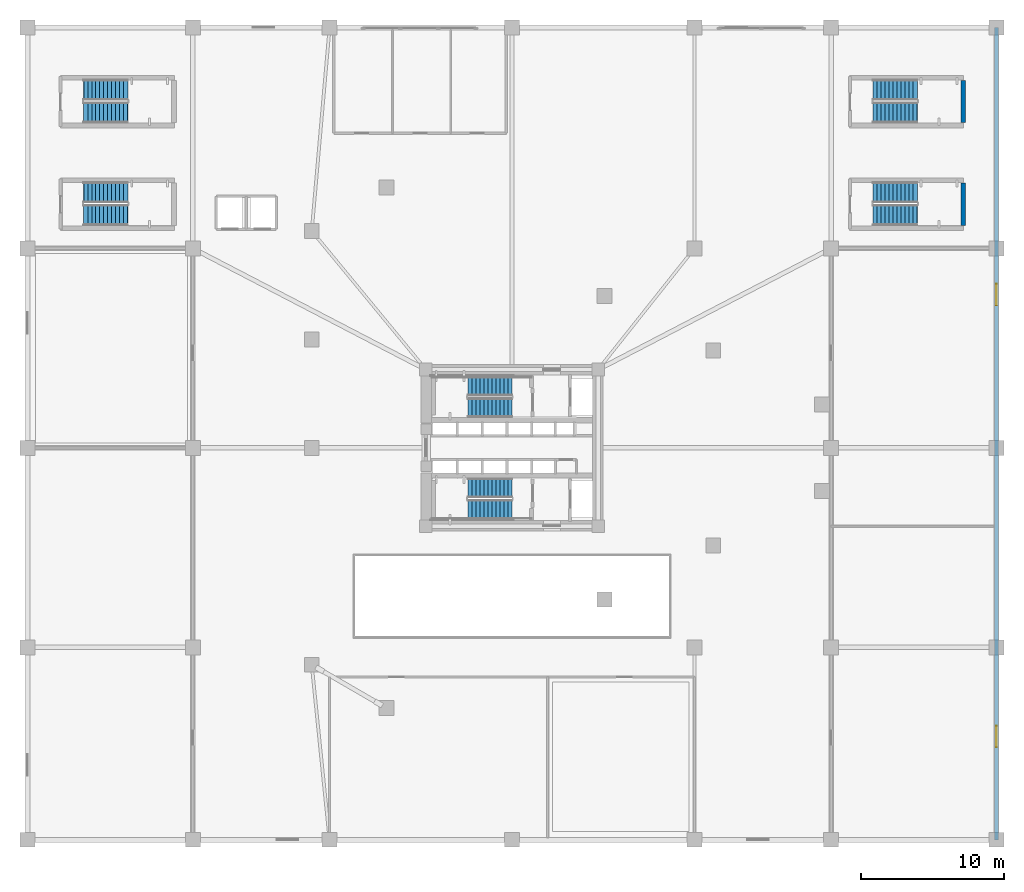
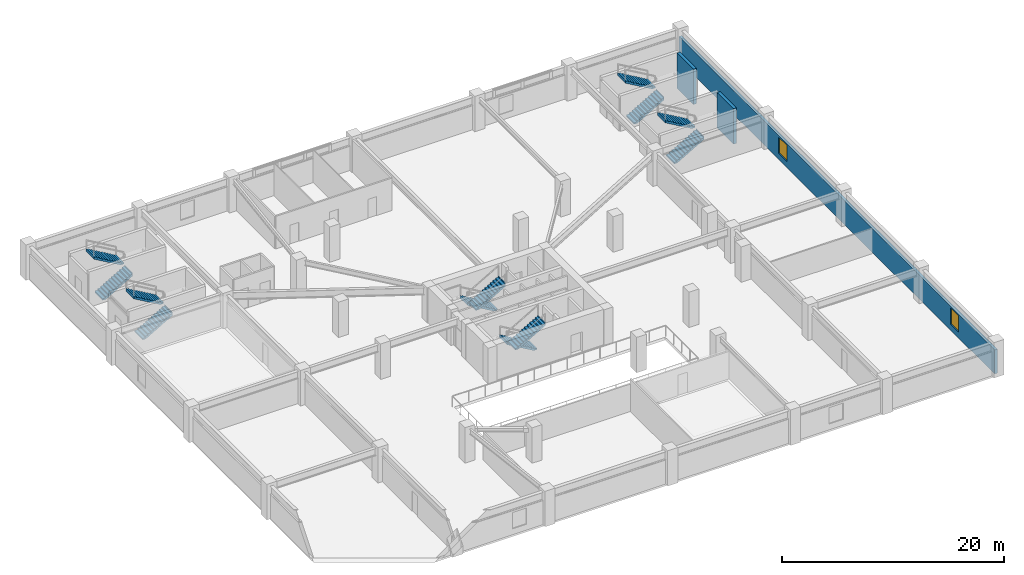
# One storey, part 7 of 15: 12 stair flights, 3 walls, 2 windows, 2 openings, 6 elements without a shape of their own.
"""IFC4 building model written with IfcOpenShell, lengths in metres."""

from ifc_helpers import new_model, si_unit, direction, frame, frame_2d, origin, place, context, subcontext, project, spatial, polyline, rectangle, outline, extrude, material, layer, layer_set, type_object, element, fill, aggregate, save


model = new_model("IFC4")

# Units and contexts
model_context = context("Model", 3, precision=1e-05, world=origin(), true_north=direction((0.0, 1.0)))
body_context = subcontext(model_context, "Body", "Model", "MODEL_VIEW")
ifc_project = project(units=[si_unit("LENGTHUNIT", "METRE"), si_unit("AREAUNIT", "SQUARE_METRE"), si_unit("VOLUMEUNIT", "CUBIC_METRE"), si_unit("PLANEANGLEUNIT", "RADIAN"), si_unit("MASSUNIT", "GRAM", prefix="KILO")], contexts=[model_context])

# Site, building, storey
site_placement = place(None, origin())
site = spatial("IfcSite", under=ifc_project, at=site_placement, CompositionType="ELEMENT")
building_placement = place(site_placement, origin())
building = spatial("IfcBuilding", under=site, at=building_placement, Name="Yunling Apex Tower", CompositionType="ELEMENT")
storey_placement = place(building_placement, frame((0.0, 0.0, 8.39990234375)))
storey = spatial("IfcBuildingStorey", under=building, at=storey_placement, Name="L03", CompositionType="ELEMENT", Elevation=8.39990234375)

# Walls
ifc_material_1 = material(Name="Concrete C40", Category="concrete")
ifc_layer_1 = layer(ifc_material_1, 0.320068359375)
ifc_layer_set_1 = layer_set([ifc_layer_1], Name="Concrete C40")
wall_type_1 = type_object("IfcWallType", Name="WL-COR-7", PredefinedType="SHEAR", material=ifc_layer_set_1)
for number, where, z_axis, x_axis, name in (
    (1, (31.679931640625, 15.6201171875, 0.0), (0.0, 0.0, 1.0), (0.0, 1.0, 0.0), "L03 STP2 Half-Landing Bearing Wall"),
    (2, (31.679931640625, 22.820068359375, 0.0), (0.0, 0.0, 1.0), (0.0, 1.0, 0.0), "L03 STG2 Half-Landing Bearing Wall"),
):
    element("IfcWall", number, at=place(storey_placement, frame(where, z_axis=z_axis, x_axis=x_axis)), inside=storey, type_object=wall_type_1, Name=name, PredefinedType="SHEAR", context=body_context, shape_type="SweptSolid", body=[
        extrude(rectangle(XDim=2.9599609375, YDim=0.320068359375, at=frame_2d((1.47998046875, 0.0))), origin(), (0.0, 0.0, 1.0), 3.900146484375),
    ])

# Wall, openings, windows
ifc_material_2 = material(Name="Precast concrete C40", Category="concrete")
ifc_layer_2 = layer(ifc_material_2, 0.280029296875)
ifc_layer_set_2 = layer_set([ifc_layer_2], Name="Precast concrete C40")
wall_type_2 = type_object("IfcWallType", Name="WL-EXT-2", PredefinedType="SOLIDWALL", material=ifc_layer_set_2)
wall_placement = place(storey_placement, frame((34.0, 29.5, 0.0), z_axis=(0.0, 0.0, 1.0), x_axis=(0.0, -1.0, 0.0)))
wall = element("IfcWall", 3, at=wall_placement, inside=storey, type_object=wall_type_2, Name="WL-POD-L03-E", PredefinedType="SOLIDWALL", context=body_context, shape_type="SweptSolid", body=[
    extrude(rectangle(XDim=57.0, YDim=0.280029296875, at=frame_2d((28.5, 0.0))), origin(), (0.0, 0.0, 1.0), 2.650146484375),
])
opening_1_placement = place(wall_placement, frame((18.0, 0.0, 0.64990234375)))
opening_1 = element("IfcOpeningElement", 4, at=opening_1_placement, cuts=wall, Name="Opening WN-POD-3", PredefinedType="OPENING", context=body_context, shape_type="SweptSolid", body=[
    extrude(rectangle(XDim=1.5, YDim=1.800048828125, at=frame_2d((0.75, 0.89990234375))), frame((0.0, 0.14990234375, 0.0), z_axis=(0.0, -1.0, 0.0), x_axis=(1.0, 0.0, 0.0)), (0.0, 0.0, 1.0), 0.300048828125),
])
opening_2_placement = place(wall_placement, frame((49.0, 0.0, 0.64990234375)))
opening_2 = element("IfcOpeningElement", 5, at=opening_2_placement, cuts=wall, Name="Opening WN-POD-3", PredefinedType="OPENING", context=body_context, shape_type="SweptSolid", body=[
    extrude(rectangle(XDim=1.5, YDim=1.800048828125, at=frame_2d((0.75, 0.89990234375))), frame((0.0, 0.14990234375, 0.0), z_axis=(0.0, -1.0, 0.0), x_axis=(1.0, 0.0, 0.0)), (0.0, 0.0, 1.0), 0.300048828125),
])
ifc_material_3 = material(Name="Bronze tinted low-E glass", Category="glass")
window_type = type_object("IfcWindowType", Name="WN-POD-3", PartitioningType="SINGLE_PANEL", PredefinedType="WINDOW", material=ifc_material_3)
window_1_placement = place(opening_1_placement, origin())
window_1 = element("IfcWindow", 6, at=window_1_placement, inside=storey, type_object=window_type, Name="WN-L03-E-1", OverallHeight=1.800048828125, OverallWidth=1.5, PartitioningType="SINGLE_PANEL", PredefinedType="WINDOW", context=body_context, shape_type="SweptSolid", body=[
    extrude(rectangle(XDim=1.5, YDim=1.800048828125, at=frame_2d((0.75, 0.89990234375))), frame((0.0, 0.030029296875, 0.0), z_axis=(0.0, -1.0, 0.0), x_axis=(1.0, 0.0, 0.0)), (0.0, 0.0, 1.0), 0.06005859375),
])
fill(opening_1, window_1)
window_2_placement = place(opening_2_placement, origin())
window_2 = element("IfcWindow", 7, at=window_2_placement, inside=storey, type_object=window_type, Name="WN-L03-E-2", OverallHeight=1.800048828125, OverallWidth=1.5, PartitioningType="SINGLE_PANEL", PredefinedType="WINDOW", context=body_context, shape_type="SweptSolid", body=[
    extrude(rectangle(XDim=1.5, YDim=1.800048828125, at=frame_2d((0.75, 0.89990234375))), frame((0.0, 0.030029296875, 0.0), z_axis=(0.0, -1.0, 0.0), x_axis=(1.0, 0.0, 0.0)), (0.0, 0.0, 1.0), 0.06005859375),
])
fill(opening_2, window_2)

# Stair, stair flights
stair_type_1 = type_object("IfcStairType", Name="ST-GDN-1", PredefinedType="STRAIGHT_RUN_STAIR", material=ifc_material_1)
stair_1_placement = place(storey_placement, origin())
stair_1 = element("IfcStair", 8, at=stair_1_placement, inside=storey, type_object=stair_type_1, Name="L03 West Plaza-to-Garden External Stair ST-G1", PredefinedType="HALF_TURN_STAIR")
stair_flight_type_1 = type_object("IfcStairFlightType", Name="SFL-GDN-1", PredefinedType="STRAIGHT", material=ifc_material_1)
stair_flight_1_placement = place(storey_placement, frame((-30.050048828125, 23.52490234375, 0.0), z_axis=(0.0, 0.0, 1.0), x_axis=(1.0, 0.0, 0.0)))
stair_flight_1 = element("IfcStairFlight", 9, at=stair_flight_1_placement, type_object=stair_flight_type_1, Name="ST-G1 flight 1", NumberOfRisers=12, NumberOfTreads=11, PredefinedType="STRAIGHT", RiserHeight=0.1625, TreadLength=0.28, context=body_context, shape_type="SweptSolid", body=[
    extrude(outline(polyline([(-0.011962890625, 0.0), (-0.011962890625, 0.16259765625), (0.0, 0.16259765625), (0.280029296875, 0.16259765625), (0.280029296875, 0.324951171875), (0.56005859375, 0.324951171875), (0.56005859375, 0.487548828125), (0.840087890625, 0.487548828125), (0.840087890625, 0.64990234375), (1.1201171875, 0.64990234375), (1.1201171875, 0.8125), (1.39990234375, 0.8125), (1.39990234375, 0.97509765625), (1.679931640625, 0.97509765625), (1.679931640625, 1.137451171875), (1.9599609375, 1.137451171875), (1.9599609375, 1.300048828125), (2.239990234375, 1.300048828125), (2.239990234375, 1.46240234375), (2.52001953125, 1.46240234375), (2.52001953125, 1.625), (2.800048828125, 1.625), (2.800048828125, 1.78759765625), (3.080078125, 1.78759765625), (3.080078125, 1.949951171875), (3.092041015625, 1.949951171875), (3.092041015625, 1.6025390625), (0.318603515625, 0.0), (-0.011962890625, 0.0)])), frame((0.0, 0.72509765625, 0.0), z_axis=(0.0, -1.0, 0.0), x_axis=(1.0, 0.0, 0.0)), (0.0, 0.0, 1.0), 1.449951171875),
])
stair_flight_2_placement = place(storey_placement, frame((-26.969970703125, 25.125, 1.9501953125), z_axis=(0.0, 0.0, 1.0), x_axis=(-1.0, 0.0, 0.0)))
stair_flight_2 = element("IfcStairFlight", 10, at=stair_flight_2_placement, type_object=stair_flight_type_1, Name="ST-G1 flight 2", NumberOfRisers=12, NumberOfTreads=11, PredefinedType="STRAIGHT", RiserHeight=0.1625, TreadLength=0.28, context=body_context, shape_type="SweptSolid", body=[
    extrude(outline(polyline([(-0.011962890625, 0.0), (-0.011962890625, 0.16259765625), (0.0, 0.16259765625), (0.280029296875, 0.16259765625), (0.280029296875, 0.324951171875), (0.56005859375, 0.324951171875), (0.56005859375, 0.487548828125), (0.840087890625, 0.487548828125), (0.840087890625, 0.64990234375), (1.1201171875, 0.64990234375), (1.1201171875, 0.8125), (1.39990234375, 0.8125), (1.39990234375, 0.97509765625), (1.679931640625, 0.97509765625), (1.679931640625, 1.137451171875), (1.9599609375, 1.137451171875), (1.9599609375, 1.300048828125), (2.239990234375, 1.300048828125), (2.239990234375, 1.46240234375), (2.52001953125, 1.46240234375), (2.52001953125, 1.625), (2.800048828125, 1.625), (2.800048828125, 1.78759765625), (3.080078125, 1.78759765625), (3.080078125, 1.949951171875), (3.092041015625, 1.949951171875), (3.092041015625, 1.6025390625), (0.318603515625, 0.0), (-0.011962890625, 0.0)])), frame((0.0, 0.72509765625, 0.0), z_axis=(0.0, -1.0, 0.0), x_axis=(1.0, 0.0, 0.0)), (0.0, 0.0, 1.0), 1.449951171875),
])
aggregate(stair_1, [stair_flight_1, stair_flight_2])

stair_2_placement = place(storey_placement, origin())
stair_2 = element("IfcStair", 11, at=stair_2_placement, inside=storey, type_object=stair_type_1, Name="L03 East Plaza-to-Garden External Stair ST-G2", PredefinedType="HALF_TURN_STAIR")
stair_flight_3_placement = place(storey_placement, frame((25.35009765625, 23.52490234375, 0.0), z_axis=(0.0, 0.0, 1.0), x_axis=(1.0, 0.0, 0.0)))
stair_flight_3 = element("IfcStairFlight", 12, at=stair_flight_3_placement, type_object=stair_flight_type_1, Name="ST-G2 flight 1", NumberOfRisers=12, NumberOfTreads=11, PredefinedType="STRAIGHT", RiserHeight=0.1625, TreadLength=0.28, context=body_context, shape_type="SweptSolid", body=[
    extrude(outline(polyline([(-0.011962890625, 0.0), (-0.011962890625, 0.16259765625), (0.0, 0.16259765625), (0.280029296875, 0.16259765625), (0.280029296875, 0.324951171875), (0.56005859375, 0.324951171875), (0.56005859375, 0.487548828125), (0.840087890625, 0.487548828125), (0.840087890625, 0.64990234375), (1.1201171875, 0.64990234375), (1.1201171875, 0.8125), (1.39990234375, 0.8125), (1.39990234375, 0.97509765625), (1.679931640625, 0.97509765625), (1.679931640625, 1.137451171875), (1.9599609375, 1.137451171875), (1.9599609375, 1.300048828125), (2.239990234375, 1.300048828125), (2.239990234375, 1.46240234375), (2.52001953125, 1.46240234375), (2.52001953125, 1.625), (2.800048828125, 1.625), (2.800048828125, 1.78759765625), (3.080078125, 1.78759765625), (3.080078125, 1.949951171875), (3.092041015625, 1.949951171875), (3.092041015625, 1.6025390625), (0.318603515625, 0.0), (-0.011962890625, 0.0)])), frame((0.0, 0.72509765625, 0.0), z_axis=(0.0, -1.0, 0.0), x_axis=(1.0, 0.0, 0.0)), (0.0, 0.0, 1.0), 1.449951171875),
])
stair_flight_4_placement = place(storey_placement, frame((28.429931640625, 25.125, 1.9501953125), z_axis=(0.0, 0.0, 1.0), x_axis=(-1.0, 0.0, 0.0)))
stair_flight_4 = element("IfcStairFlight", 13, at=stair_flight_4_placement, type_object=stair_flight_type_1, Name="ST-G2 flight 2", NumberOfRisers=12, NumberOfTreads=11, PredefinedType="STRAIGHT", RiserHeight=0.1625, TreadLength=0.28, context=body_context, shape_type="SweptSolid", body=[
    extrude(outline(polyline([(-0.011962890625, 0.0), (-0.011962890625, 0.16259765625), (0.0, 0.16259765625), (0.280029296875, 0.16259765625), (0.280029296875, 0.324951171875), (0.56005859375, 0.324951171875), (0.56005859375, 0.487548828125), (0.840087890625, 0.487548828125), (0.840087890625, 0.64990234375), (1.1201171875, 0.64990234375), (1.1201171875, 0.8125), (1.39990234375, 0.8125), (1.39990234375, 0.97509765625), (1.679931640625, 0.97509765625), (1.679931640625, 1.137451171875), (1.9599609375, 1.137451171875), (1.9599609375, 1.300048828125), (2.239990234375, 1.300048828125), (2.239990234375, 1.46240234375), (2.52001953125, 1.46240234375), (2.52001953125, 1.625), (2.800048828125, 1.625), (2.800048828125, 1.78759765625), (3.080078125, 1.78759765625), (3.080078125, 1.949951171875), (3.092041015625, 1.949951171875), (3.092041015625, 1.6025390625), (0.318603515625, 0.0), (-0.011962890625, 0.0)])), frame((0.0, 0.72509765625, 0.0), z_axis=(0.0, -1.0, 0.0), x_axis=(1.0, 0.0, 0.0)), (0.0, 0.0, 1.0), 1.449951171875),
])
aggregate(stair_2, [stair_flight_3, stair_flight_4])

stair_type_2 = type_object("IfcStairType", Name="ST-POD-1", PredefinedType="HALF_TURN_STAIR", material=ifc_material_1)
stair_3_placement = place(storey_placement, origin())
stair_3 = element("IfcStair", 14, at=stair_3_placement, inside=storey, type_object=stair_type_2, Name="L03 West Podium Smokeproof Stair ST-P1", PredefinedType="HALF_TURN_STAIR")
stair_flight_type_2 = type_object("IfcStairFlightType", Name="SFL-POD-1", PredefinedType="STRAIGHT", material=ifc_material_1)
stair_flight_5_placement = place(storey_placement, frame((-30.050048828125, 16.324951171875, 0.0), z_axis=(0.0, 0.0, 1.0), x_axis=(1.0, 0.0, 0.0)))
stair_flight_5 = element("IfcStairFlight", 15, at=stair_flight_5_placement, type_object=stair_flight_type_2, Name="ST-P1 flight 1", NumberOfRisers=12, NumberOfTreads=11, PredefinedType="STRAIGHT", RiserHeight=0.1625, TreadLength=0.28, context=body_context, shape_type="SweptSolid", body=[
    extrude(outline(polyline([(-0.011962890625, 0.0), (-0.011962890625, 0.16259765625), (0.0, 0.16259765625), (0.280029296875, 0.16259765625), (0.280029296875, 0.324951171875), (0.56005859375, 0.324951171875), (0.56005859375, 0.487548828125), (0.840087890625, 0.487548828125), (0.840087890625, 0.64990234375), (1.1201171875, 0.64990234375), (1.1201171875, 0.8125), (1.39990234375, 0.8125), (1.39990234375, 0.97509765625), (1.679931640625, 0.97509765625), (1.679931640625, 1.137451171875), (1.9599609375, 1.137451171875), (1.9599609375, 1.300048828125), (2.239990234375, 1.300048828125), (2.239990234375, 1.46240234375), (2.52001953125, 1.46240234375), (2.52001953125, 1.625), (2.800048828125, 1.625), (2.800048828125, 1.78759765625), (3.080078125, 1.78759765625), (3.080078125, 1.949951171875), (3.092041015625, 1.949951171875), (3.092041015625, 1.6025390625), (0.318603515625, 0.0), (-0.011962890625, 0.0)])), frame((0.0, 0.72509765625, 0.0), z_axis=(0.0, -1.0, 0.0), x_axis=(1.0, 0.0, 0.0)), (0.0, 0.0, 1.0), 1.449951171875),
])
stair_flight_6_placement = place(storey_placement, frame((-26.969970703125, 17.925048828125, 1.9501953125), z_axis=(0.0, 0.0, 1.0), x_axis=(-1.0, 0.0, 0.0)))
stair_flight_6 = element("IfcStairFlight", 16, at=stair_flight_6_placement, type_object=stair_flight_type_2, Name="ST-P1 flight 2", NumberOfRisers=12, NumberOfTreads=11, PredefinedType="STRAIGHT", RiserHeight=0.1625, TreadLength=0.28, context=body_context, shape_type="SweptSolid", body=[
    extrude(outline(polyline([(-0.011962890625, 0.0), (-0.011962890625, 0.16259765625), (0.0, 0.16259765625), (0.280029296875, 0.16259765625), (0.280029296875, 0.324951171875), (0.56005859375, 0.324951171875), (0.56005859375, 0.487548828125), (0.840087890625, 0.487548828125), (0.840087890625, 0.64990234375), (1.1201171875, 0.64990234375), (1.1201171875, 0.8125), (1.39990234375, 0.8125), (1.39990234375, 0.97509765625), (1.679931640625, 0.97509765625), (1.679931640625, 1.137451171875), (1.9599609375, 1.137451171875), (1.9599609375, 1.300048828125), (2.239990234375, 1.300048828125), (2.239990234375, 1.46240234375), (2.52001953125, 1.46240234375), (2.52001953125, 1.625), (2.800048828125, 1.625), (2.800048828125, 1.78759765625), (3.080078125, 1.78759765625), (3.080078125, 1.949951171875), (3.092041015625, 1.949951171875), (3.092041015625, 1.6025390625), (0.318603515625, 0.0), (-0.011962890625, 0.0)])), frame((0.0, 0.72509765625, 0.0), z_axis=(0.0, -1.0, 0.0), x_axis=(1.0, 0.0, 0.0)), (0.0, 0.0, 1.0), 1.449951171875),
])
aggregate(stair_3, [stair_flight_5, stair_flight_6])

stair_4_placement = place(storey_placement, origin())
stair_4 = element("IfcStair", 17, at=stair_4_placement, inside=storey, type_object=stair_type_2, Name="L03 East Podium Smokeproof Stair ST-P2", PredefinedType="HALF_TURN_STAIR")
stair_flight_7_placement = place(storey_placement, frame((25.35009765625, 16.324951171875, 0.0), z_axis=(0.0, 0.0, 1.0), x_axis=(1.0, 0.0, 0.0)))
stair_flight_7 = element("IfcStairFlight", 18, at=stair_flight_7_placement, type_object=stair_flight_type_2, Name="ST-P2 flight 1", NumberOfRisers=12, NumberOfTreads=11, PredefinedType="STRAIGHT", RiserHeight=0.1625, TreadLength=0.28, context=body_context, shape_type="SweptSolid", body=[
    extrude(outline(polyline([(-0.011962890625, 0.0), (-0.011962890625, 0.16259765625), (0.0, 0.16259765625), (0.280029296875, 0.16259765625), (0.280029296875, 0.324951171875), (0.56005859375, 0.324951171875), (0.56005859375, 0.487548828125), (0.840087890625, 0.487548828125), (0.840087890625, 0.64990234375), (1.1201171875, 0.64990234375), (1.1201171875, 0.8125), (1.39990234375, 0.8125), (1.39990234375, 0.97509765625), (1.679931640625, 0.97509765625), (1.679931640625, 1.137451171875), (1.9599609375, 1.137451171875), (1.9599609375, 1.300048828125), (2.239990234375, 1.300048828125), (2.239990234375, 1.46240234375), (2.52001953125, 1.46240234375), (2.52001953125, 1.625), (2.800048828125, 1.625), (2.800048828125, 1.78759765625), (3.080078125, 1.78759765625), (3.080078125, 1.949951171875), (3.092041015625, 1.949951171875), (3.092041015625, 1.6025390625), (0.318603515625, 0.0), (-0.011962890625, 0.0)])), frame((0.0, 0.72509765625, 0.0), z_axis=(0.0, -1.0, 0.0), x_axis=(1.0, 0.0, 0.0)), (0.0, 0.0, 1.0), 1.449951171875),
])
stair_flight_8_placement = place(storey_placement, frame((28.429931640625, 17.925048828125, 1.9501953125), z_axis=(0.0, 0.0, 1.0), x_axis=(-1.0, 0.0, 0.0)))
stair_flight_8 = element("IfcStairFlight", 19, at=stair_flight_8_placement, type_object=stair_flight_type_2, Name="ST-P2 flight 2", NumberOfRisers=12, NumberOfTreads=11, PredefinedType="STRAIGHT", RiserHeight=0.1625, TreadLength=0.28, context=body_context, shape_type="SweptSolid", body=[
    extrude(outline(polyline([(-0.011962890625, 0.0), (-0.011962890625, 0.16259765625), (0.0, 0.16259765625), (0.280029296875, 0.16259765625), (0.280029296875, 0.324951171875), (0.56005859375, 0.324951171875), (0.56005859375, 0.487548828125), (0.840087890625, 0.487548828125), (0.840087890625, 0.64990234375), (1.1201171875, 0.64990234375), (1.1201171875, 0.8125), (1.39990234375, 0.8125), (1.39990234375, 0.97509765625), (1.679931640625, 0.97509765625), (1.679931640625, 1.137451171875), (1.9599609375, 1.137451171875), (1.9599609375, 1.300048828125), (2.239990234375, 1.300048828125), (2.239990234375, 1.46240234375), (2.52001953125, 1.46240234375), (2.52001953125, 1.625), (2.800048828125, 1.625), (2.800048828125, 1.78759765625), (3.080078125, 1.78759765625), (3.080078125, 1.949951171875), (3.092041015625, 1.949951171875), (3.092041015625, 1.6025390625), (0.318603515625, 0.0), (-0.011962890625, 0.0)])), frame((0.0, 0.72509765625, 0.0), z_axis=(0.0, -1.0, 0.0), x_axis=(1.0, 0.0, 0.0)), (0.0, 0.0, 1.0), 1.449951171875),
])
aggregate(stair_4, [stair_flight_7, stair_flight_8])

stair_type_3 = type_object("IfcStairType", Name="ST-TWR-1", PredefinedType="HALF_TURN_STAIR", material=ifc_material_1)
stair_5_placement = place(storey_placement, origin())
stair_5 = element("IfcStair", 20, at=stair_5_placement, inside=storey, type_object=stair_type_3, Name="L03 North Core Smokeproof Exit Stair ST-1", PredefinedType="HALF_TURN_STAIR")
stair_flight_type_3 = type_object("IfcStairFlightType", Name="SFL-TWR-1", PredefinedType="STRAIGHT", material=ifc_material_1)
stair_flight_9_placement = place(storey_placement, frame((-0.010009765625, 4.330078125, 0.0), z_axis=(0.0, 0.0, 1.0), x_axis=(-1.0, 0.0, 0.0)))
stair_flight_9 = element("IfcStairFlight", 21, at=stair_flight_9_placement, type_object=stair_flight_type_3, Name="ST-1 flight 1", NumberOfRisers=12, NumberOfTreads=11, PredefinedType="STRAIGHT", RiserHeight=0.1625, TreadLength=0.28, context=body_context, shape_type="SweptSolid", body=[
    extrude(outline(polyline([(-0.011962890625, 0.0), (-0.011962890625, 0.16259765625), (0.0, 0.16259765625), (0.280029296875, 0.16259765625), (0.280029296875, 0.324951171875), (0.56005859375, 0.324951171875), (0.56005859375, 0.487548828125), (0.840087890625, 0.487548828125), (0.840087890625, 0.64990234375), (1.1201171875, 0.64990234375), (1.1201171875, 0.8125), (1.39990234375, 0.8125), (1.39990234375, 0.97509765625), (1.679931640625, 0.97509765625), (1.679931640625, 1.137451171875), (1.9599609375, 1.137451171875), (1.9599609375, 1.300048828125), (2.239990234375, 1.300048828125), (2.239990234375, 1.46240234375), (2.52001953125, 1.46240234375), (2.52001953125, 1.625), (2.800048828125, 1.625), (2.800048828125, 1.78759765625), (3.080078125, 1.78759765625), (3.080078125, 1.949951171875), (3.092041015625, 1.949951171875), (3.092041015625, 1.6025390625), (0.318603515625, 0.0), (-0.011962890625, 0.0)])), frame((0.0, 0.68017578125, 0.0), z_axis=(0.0, -1.0, 0.0), x_axis=(1.0, 0.0, 0.0)), (0.0, 0.0, 1.0), 1.360107421875),
])
stair_flight_10_placement = place(storey_placement, frame((-3.090087890625, 2.820068359375, 1.9501953125), z_axis=(0.0, 0.0, 1.0), x_axis=(1.0, 0.0, 0.0)))
stair_flight_10 = element("IfcStairFlight", 22, at=stair_flight_10_placement, type_object=stair_flight_type_3, Name="ST-1 flight 2", NumberOfRisers=12, NumberOfTreads=11, PredefinedType="STRAIGHT", RiserHeight=0.1625, TreadLength=0.28, context=body_context, shape_type="SweptSolid", body=[
    extrude(outline(polyline([(-0.011962890625, 0.0), (-0.011962890625, 0.16259765625), (0.0, 0.16259765625), (0.280029296875, 0.16259765625), (0.280029296875, 0.324951171875), (0.56005859375, 0.324951171875), (0.56005859375, 0.487548828125), (0.840087890625, 0.487548828125), (0.840087890625, 0.64990234375), (1.1201171875, 0.64990234375), (1.1201171875, 0.8125), (1.39990234375, 0.8125), (1.39990234375, 0.97509765625), (1.679931640625, 0.97509765625), (1.679931640625, 1.137451171875), (1.9599609375, 1.137451171875), (1.9599609375, 1.300048828125), (2.239990234375, 1.300048828125), (2.239990234375, 1.46240234375), (2.52001953125, 1.46240234375), (2.52001953125, 1.625), (2.800048828125, 1.625), (2.800048828125, 1.78759765625), (3.080078125, 1.78759765625), (3.080078125, 1.949951171875), (3.092041015625, 1.949951171875), (3.092041015625, 1.6025390625), (0.318603515625, 0.0), (-0.011962890625, 0.0)])), frame((0.0, 0.68017578125, 0.0), z_axis=(0.0, -1.0, 0.0), x_axis=(1.0, 0.0, 0.0)), (0.0, 0.0, 1.0), 1.360107421875),
])
aggregate(stair_5, [stair_flight_9, stair_flight_10])

stair_6_placement = place(storey_placement, origin())
stair_6 = element("IfcStair", 23, at=stair_6_placement, inside=storey, type_object=stair_type_3, Name="L03 South Core Smokeproof Exit Stair ST-2", PredefinedType="HALF_TURN_STAIR")
stair_flight_11_placement = place(storey_placement, frame((-0.010009765625, -2.820068359375, 0.0), z_axis=(0.0, 0.0, 1.0), x_axis=(-1.0, 0.0, 0.0)))
stair_flight_11 = element("IfcStairFlight", 24, at=stair_flight_11_placement, type_object=stair_flight_type_3, Name="ST-2 flight 1", NumberOfRisers=12, NumberOfTreads=11, PredefinedType="STRAIGHT", RiserHeight=0.1625, TreadLength=0.28, context=body_context, shape_type="SweptSolid", body=[
    extrude(outline(polyline([(-0.011962890625, 0.0), (-0.011962890625, 0.16259765625), (0.0, 0.16259765625), (0.280029296875, 0.16259765625), (0.280029296875, 0.324951171875), (0.56005859375, 0.324951171875), (0.56005859375, 0.487548828125), (0.840087890625, 0.487548828125), (0.840087890625, 0.64990234375), (1.1201171875, 0.64990234375), (1.1201171875, 0.8125), (1.39990234375, 0.8125), (1.39990234375, 0.97509765625), (1.679931640625, 0.97509765625), (1.679931640625, 1.137451171875), (1.9599609375, 1.137451171875), (1.9599609375, 1.300048828125), (2.239990234375, 1.300048828125), (2.239990234375, 1.46240234375), (2.52001953125, 1.46240234375), (2.52001953125, 1.625), (2.800048828125, 1.625), (2.800048828125, 1.78759765625), (3.080078125, 1.78759765625), (3.080078125, 1.949951171875), (3.092041015625, 1.949951171875), (3.092041015625, 1.6025390625), (0.318603515625, 0.0), (-0.011962890625, 0.0)])), frame((0.0, 0.68017578125, 0.0), z_axis=(0.0, -1.0, 0.0), x_axis=(1.0, 0.0, 0.0)), (0.0, 0.0, 1.0), 1.360107421875),
])
stair_flight_12_placement = place(storey_placement, frame((-3.090087890625, -4.330078125, 1.9501953125), z_axis=(0.0, 0.0, 1.0), x_axis=(1.0, 0.0, 0.0)))
stair_flight_12 = element("IfcStairFlight", 25, at=stair_flight_12_placement, type_object=stair_flight_type_3, Name="ST-2 flight 2", NumberOfRisers=12, NumberOfTreads=11, PredefinedType="STRAIGHT", RiserHeight=0.1625, TreadLength=0.28, context=body_context, shape_type="SweptSolid", body=[
    extrude(outline(polyline([(-0.011962890625, 0.0), (-0.011962890625, 0.16259765625), (0.0, 0.16259765625), (0.280029296875, 0.16259765625), (0.280029296875, 0.324951171875), (0.56005859375, 0.324951171875), (0.56005859375, 0.487548828125), (0.840087890625, 0.487548828125), (0.840087890625, 0.64990234375), (1.1201171875, 0.64990234375), (1.1201171875, 0.8125), (1.39990234375, 0.8125), (1.39990234375, 0.97509765625), (1.679931640625, 0.97509765625), (1.679931640625, 1.137451171875), (1.9599609375, 1.137451171875), (1.9599609375, 1.300048828125), (2.239990234375, 1.300048828125), (2.239990234375, 1.46240234375), (2.52001953125, 1.46240234375), (2.52001953125, 1.625), (2.800048828125, 1.625), (2.800048828125, 1.78759765625), (3.080078125, 1.78759765625), (3.080078125, 1.949951171875), (3.092041015625, 1.949951171875), (3.092041015625, 1.6025390625), (0.318603515625, 0.0), (-0.011962890625, 0.0)])), frame((0.0, 0.68017578125, 0.0), z_axis=(0.0, -1.0, 0.0), x_axis=(1.0, 0.0, 0.0)), (0.0, 0.0, 1.0), 1.360107421875),
])
aggregate(stair_6, [stair_flight_11, stair_flight_12])

save(model, "model.ifc")
